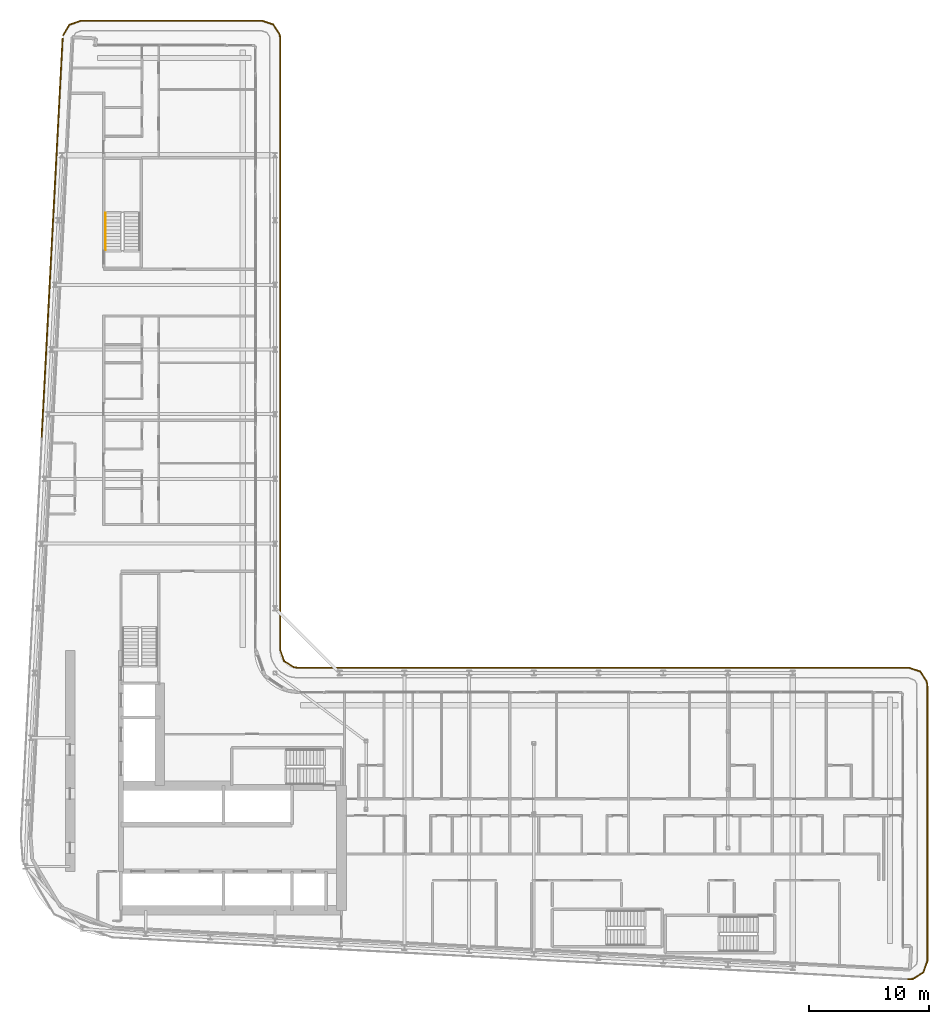
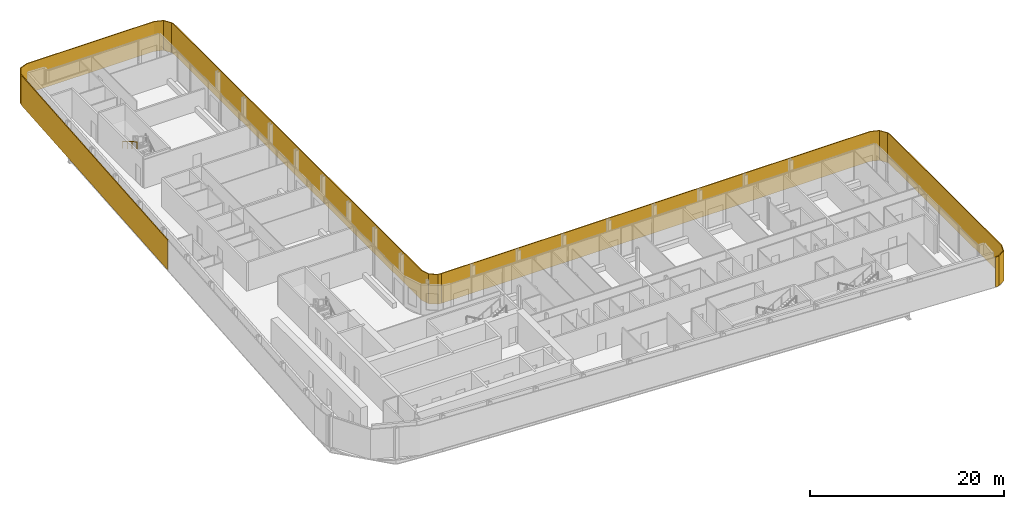
# One storey, part 28 of 30: 3 shading devices, 1 railing.
"""IFC4 building model written with IfcOpenShell, lengths in metres."""

from ifc_helpers import new_model, si_unit, direction, frame, origin, origin_2d, place, context, subcontext, project, spatial, polyline, rectangle, circle, outline, extrude, material, layer, layer_set, type_object, element, save


model = new_model("IFC4")

# Units and contexts
model_context = context("Model", 3, precision=1e-05, world=origin(), true_north=direction((0.0, 1.0)))
body_context = subcontext(model_context, "Body", "Model", "MODEL_VIEW")
ifc_project = project(units=[si_unit("LENGTHUNIT", "METRE"), si_unit("AREAUNIT", "SQUARE_METRE"), si_unit("VOLUMEUNIT", "CUBIC_METRE"), si_unit("PLANEANGLEUNIT", "RADIAN"), si_unit("MASSUNIT", "GRAM", prefix="KILO")], contexts=[model_context])

# Site, building, storey
site_placement = place(None, origin())
site = spatial("IfcSite", under=ifc_project, at=site_placement, CompositionType="ELEMENT")
building_placement = place(site_placement, origin())
building = spatial("IfcBuilding", under=site, at=building_placement, Name="Kheshtan School and Residences Tower", CompositionType="ELEMENT")
storey_placement = place(building_placement, frame((0.0, 0.0, 199.39990234375)))
storey = spatial("IfcBuildingStorey", under=building, at=storey_placement, Name="L47", CompositionType="ELEMENT", Elevation=199.39990234375)

# Shading devices
ifc_material_1 = material(Name="Terracotta baguette, extruded ceramic", Category="masonry")
ifc_layer_1 = layer(ifc_material_1, 0.10009765625)
ifc_layer_set_1 = layer_set([ifc_layer_1], Name="Ledge screen, terracotta baguettes")
shading_device_type_1 = type_object("IfcShadingDeviceType", Name="Ledge screen, terracotta baguettes", PredefinedType="USERDEFINED", material=ifc_layer_set_1)
shading_device_1_placement = place(storey_placement, frame((28.9990234375, 81.93408203125, 0.0), z_axis=(0.0, 0.0, 1.0), x_axis=(0.052562536748, 0.998617634398, 0.0)))
element("IfcShadingDevice", 1, at=shading_device_1_placement, inside=storey, type_object=shading_device_type_1, Name="Screen L47 5", ObjectType="BAGUETTE", PredefinedType="USERDEFINED", context=body_context, shape_type="SweptSolid", body=[
    extrude(rectangle(XDim=33.341064453125, YDim=0.10009765625, at=origin_2d()), origin(), (0.0, 0.0, 1.0), 3.75),
])
ifc_material_2 = material(Name="Terracotta lattice, extruded ceramic", Category="masonry")
ifc_layer_2 = layer(ifc_material_2, 0.10009765625)
ifc_layer_set_2 = layer_set([ifc_layer_2], Name="Loggia screen, terracotta lattice")
shading_device_type_2 = type_object("IfcShadingDeviceType", Name="Loggia screen, terracotta lattice", PredefinedType="USERDEFINED", material=ifc_layer_set_2)
shading_device_2_placement = place(storey_placement, origin())
element("IfcShadingDevice", 2, at=shading_device_2_placement, inside=storey, type_object=shading_device_type_2, Name="Screen L47 1", ObjectType="SCREEN", PredefinedType="USERDEFINED", context=body_context, shape_type="SweptSolid", body=[
    extrude(outline(polyline([(29.949951171875, 98.783935546875), (30.468017578125, 99.656982421875), (31.423095703125, 100.0), (46.5, 100.0), (47.4130859375, 99.68994140625), (47.948974609375, 98.887939453125), (48.0, 98.5), (48.0, 47.5), (48.31005859375, 46.5869140625), (49.112060546875, 46.051025390625), (49.5, 46.0), (49.512939453125, 46.09912109375), (49.14794921875, 46.14697265625), (48.39404296875, 46.65087890625), (48.10009765625, 47.51708984375), (48.10009765625, 98.507080078125), (48.044921875, 98.924072265625), (47.47705078125, 99.77392578125), (46.51708984375, 100.10009765625), (31.406005859375, 100.10009765625), (30.39990234375, 99.739013671875), (29.864013671875, 98.8349609375), (29.949951171875, 98.783935546875)])), origin(), (0.0, 0.0, 1.0), 3.75),
])
shading_device_3_placement = place(storey_placement, origin())
element("IfcShadingDevice", 3, at=shading_device_3_placement, inside=storey, type_object=shading_device_type_2, Name="Screen L47 2", ObjectType="SCREEN", PredefinedType="USERDEFINED", context=body_context, shape_type="SweptSolid", body=[
    extrude(outline(polyline([(49.5, 46.0), (100.5, 46.0), (101.4130859375, 45.68994140625), (101.948974609375, 44.887939453125), (102.0, 44.5), (102.0, 21.5810546875), (101.669921875, 20.64208984375), (100.823974609375, 20.116943359375), (100.4208984375, 20.0830078125), (100.428955078125, 19.98291015625), (100.85595703125, 20.01904296875), (101.7529296875, 20.575927734375), (102.10009765625, 21.56396484375), (102.10009765625, 44.507080078125), (102.044921875, 44.924072265625), (101.47705078125, 45.77392578125), (100.51708984375, 46.10009765625), (49.5, 46.10009765625), (49.5, 46.0)])), origin(), (0.0, 0.0, 1.0), 3.75),
])

# Railing
ifc_material_3 = material(Name="Stainless steel handrail", Category="steel")
railing_type = type_object("IfcRailingType", Name="Stair handrail 900", PredefinedType="HANDRAIL", material=ifc_material_3)
railing_placement = place(storey_placement, frame((33.449951171875, 83.97998046875, 2.112548828125)))
element("IfcRailing", 4, at=railing_placement, inside=storey, type_object=railing_type, Name="L47 ST3 stair handrail 2", PredefinedType="HANDRAIL", context=body_context, shape_type="SweptSolid", body=[
    extrude(circle(Radius=0.02392578125, at=origin_2d()), frame((0.0, 0.0, 0.8759765625), z_axis=(0.0, -0.864890721111, 0.501960198159), x_axis=(1.0, 0.0, 0.0)), (0.0, 0.0, 1.0), 3.561279296875),
    extrude(circle(Radius=0.02099609375, at=origin_2d()), origin(), (0.0, 0.0, 1.0), 0.851806640625),
    extrude(circle(Radius=0.02099609375, at=origin_2d()), frame((0.0, -1.026611328125, 0.595947265625)), (0.0, 0.0, 1.0), 0.851806640625),
    extrude(circle(Radius=0.02099609375, at=origin_2d()), frame((0.0, -2.053466796875, 1.191650390625)), (0.0, 0.0, 1.0), 0.851806640625),
    extrude(circle(Radius=0.02099609375, at=origin_2d()), frame((0.0, -3.080078125, 1.78759765625)), (0.0, 0.0, 1.0), 0.851806640625),
])

save(model, "model.ifc")
